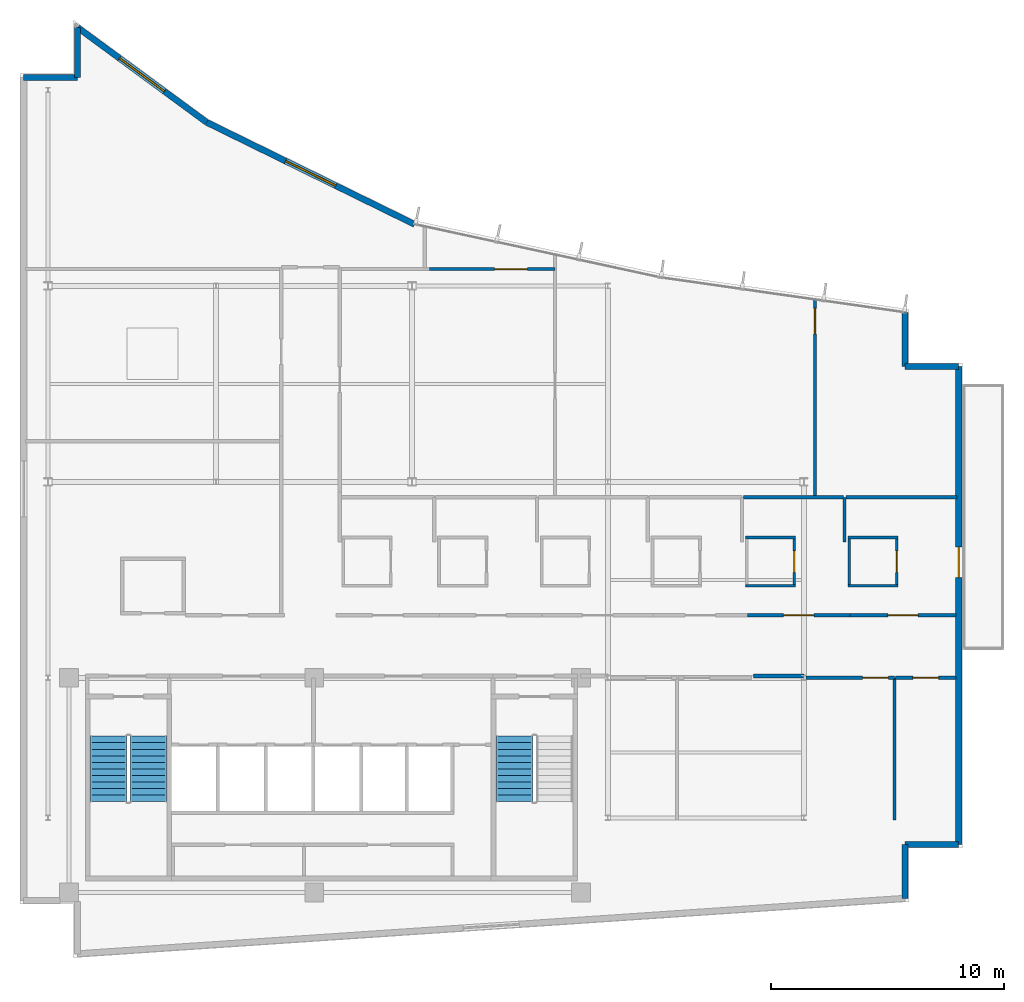
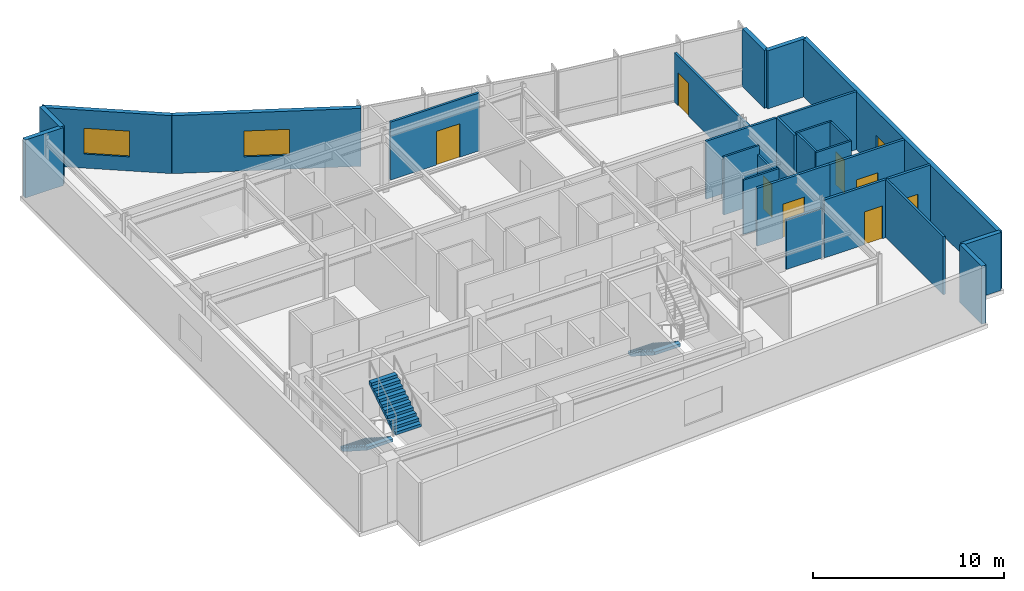
# One storey, part 12 of 16: 27 walls, 9 doors, 3 stair flights, 2 windows, 11 openings, 2 elements without a shape of their own.
"""IFC4 building model written with IfcOpenShell, lengths in metres."""

from ifc_helpers import new_model, si_unit, direction, frame, frame_2d, origin, place, context, subcontext, project, spatial, polyline, rectangle, outline, extrude, material, layer, layer_set, type_object, element, fill, aggregate, save


model = new_model("IFC4")

# Units and contexts
model_context = context("Model", 3, precision=1e-05, world=origin(), true_north=direction((0.0, 1.0)))
body_context = subcontext(model_context, "Body", "Model", "MODEL_VIEW")
ifc_project = project(units=[si_unit("LENGTHUNIT", "METRE"), si_unit("AREAUNIT", "SQUARE_METRE"), si_unit("VOLUMEUNIT", "CUBIC_METRE"), si_unit("PLANEANGLEUNIT", "RADIAN"), si_unit("MASSUNIT", "GRAM", prefix="KILO")], contexts=[model_context])

# Site, building, storey
site_placement = place(None, origin())
site = spatial("IfcSite", under=ifc_project, at=site_placement, CompositionType="ELEMENT")
building_placement = place(site_placement, origin())
building = spatial("IfcBuilding", under=site, at=building_placement, Name="Varnakote Quay Hospital", CompositionType="ELEMENT")
storey_placement = place(building_placement, frame((0.0, 0.0, 296.050048828125)))
storey = spatial("IfcBuildingStorey", under=building, at=storey_placement, Name="L73", CompositionType="ELEMENT", Elevation=296.050048828125)

# Walls
ifc_material_1 = material(Name="Fire-rated acoustic gypsum stud wall", Category="gypsum")
ifc_layer_1 = layer(ifc_material_1, 0.159912109375)
ifc_layer_set_1 = layer_set([ifc_layer_1], Name="Fire-rated acoustic gypsum stud wall")
wall_type_1 = type_object("IfcWallType", Name="WL-COMP-160", PredefinedType="PARTITIONING", material=ifc_layer_set_1)
wall_1_placement = place(storey_placement, frame((31.439208984375, 12.080078125, 0.0), z_axis=(0.0, 0.0, 1.0), x_axis=(1.0, 0.0, 0.0)))
element("IfcWall", 1, at=wall_1_placement, inside=storey, type_object=wall_type_1, Name="L73 Corridor South Gap Wall", PredefinedType="PARTITIONING", context=body_context, shape_type="SweptSolid", body=[
    extrude(rectangle(XDim=2.174072265625, YDim=0.159912109375, at=frame_2d((1.0869140625, 0.0))), origin(), (0.0, 0.0, 1.0), 3.156982421875),
])
ifc_material_2 = material(Name="Moisture-resistant bathroom partition", Category="gypsum")
ifc_layer_2 = layer(ifc_material_2, 0.114990234375)
ifc_layer_set_2 = layer_set([ifc_layer_2], Name="Moisture-resistant bathroom partition")
wall_type_2 = type_object("IfcWallType", Name="WL-ENS-115", PredefinedType="PARTITIONING", material=ifc_layer_set_2)
wall_2_placement = place(storey_placement, frame((31.094970703125, 15.952392578125, 0.0), z_axis=(0.0, 0.0, 1.0), x_axis=(1.0, 0.0, 0.0)))
element("IfcWall", 2, at=wall_2_placement, inside=storey, type_object=wall_type_2, Name="L73 Inpatient En-Suite Bathroom 05 S Wall", PredefinedType="PARTITIONING", context=body_context, shape_type="SweptSolid", body=[
    extrude(rectangle(XDim=2.150146484375, YDim=0.114990234375, at=frame_2d((1.0751953125, 0.0))), origin(), (0.0, 0.0, 1.0), 3.47802734375),
])
wall_3_placement = place(storey_placement, frame((31.094970703125, 18.017578125, 0.0), z_axis=(0.0, 0.0, 1.0), x_axis=(1.0, 0.0, 0.0)))
element("IfcWall", 3, at=wall_3_placement, inside=storey, type_object=wall_type_2, Name="L73 Inpatient En-Suite Bathroom 05 N Wall", PredefinedType="PARTITIONING", context=body_context, shape_type="SweptSolid", body=[
    extrude(rectangle(XDim=2.150146484375, YDim=0.114990234375, at=frame_2d((1.0751953125, 0.0))), origin(), (0.0, 0.0, 1.0), 3.7099609375),
])

# Wall, opening, door
wall_4_placement = place(storey_placement, frame((33.1875, 16.010009765625, 0.0), z_axis=(0.0, 0.0, 1.0), x_axis=(0.0, 1.0, 0.0)))
wall_4 = element("IfcWall", 4, at=wall_4_placement, inside=storey, type_object=wall_type_2, Name="L73 Inpatient En-Suite Bathroom 05 E Wall", PredefinedType="PARTITIONING", context=body_context, shape_type="SweptSolid", body=[
    extrude(rectangle(XDim=1.949951171875, YDim=0.114990234375, at=frame_2d((0.97509765625, 0.0))), origin(), (0.0, 0.0, 1.0), 3.156982421875),
])
opening_1_placement = place(wall_4_placement, frame((0.514892578125, 0.0, 0.0)))
opening_1 = element("IfcOpeningElement", 5, at=opening_1_placement, cuts=wall_4, Name="Opening D-L73-ENS05", PredefinedType="OPENING", context=body_context, shape_type="SweptSolid", body=[
    extrude(rectangle(XDim=0.919921875, YDim=2.10009765625, at=frame_2d((0.4599609375, 1.050048828125))), frame((0.0, 0.0673828125, 0.0), z_axis=(0.0, -1.0, 0.0), x_axis=(1.0, 0.0, 0.0)), (0.0, 0.0, 1.0), 0.135009765625),
])
ifc_material_3 = material(Name="Moisture-sealed en-suite bathroom door")
door_type_1 = type_object("IfcDoorType", Name="DR-ENS-920x2100", OperationType="NOTDEFINED", PredefinedType="DOOR", material=ifc_material_3)
door_1_placement = place(opening_1_placement, origin())
door_1 = element("IfcDoor", 6, at=door_1_placement, inside=storey, type_object=door_type_1, Name="L73 Inpatient En-Suite Bathroom 05 Door", OperationType="SINGLE_SWING_RIGHT", OverallHeight=2.10009765625, OverallWidth=0.919921875, PredefinedType="DOOR", context=body_context, shape_type="SweptSolid", body=[
    extrude(rectangle(XDim=0.919921875, YDim=2.10009765625, at=frame_2d((0.4599609375, 1.050048828125))), frame((0.0, 0.02490234375, 0.0), z_axis=(0.0, -1.0, 0.0), x_axis=(1.0, 0.0, 0.0)), (0.0, 0.0, 1.0), 0.050048828125),
])
fill(opening_1, door_1)

# Walls
for number, where, z_axis, x_axis, name in (
    (7, (35.4951171875, 15.952392578125, 0.0), (0.0, 0.0, 1.0), (1.0, 0.0, 0.0), "L73 Inpatient En-Suite Bathroom 06 S Wall"),
    (8, (35.4951171875, 18.017578125, 0.0), (0.0, 0.0, 1.0), (1.0, 0.0, 0.0), "L73 Inpatient En-Suite Bathroom 06 N Wall"),
):
    element("IfcWall", number, at=place(storey_placement, frame(where, z_axis=z_axis, x_axis=x_axis)), inside=storey, type_object=wall_type_2, Name=name, PredefinedType="PARTITIONING", context=body_context, shape_type="SweptSolid", body=[
        extrude(rectangle(XDim=2.14990234375, YDim=0.114990234375, at=frame_2d((1.074951171875, 0.0))), origin(), (0.0, 0.0, 1.0), 3.7099609375),
    ])
wall_5_placement = place(storey_placement, frame((35.552490234375, 16.010009765625, 0.0), z_axis=(0.0, 0.0, 1.0), x_axis=(0.0, 1.0, 0.0)))
element("IfcWall", 9, at=wall_5_placement, inside=storey, type_object=wall_type_2, Name="L73 Inpatient En-Suite Bathroom 06 W Wall", PredefinedType="PARTITIONING", context=body_context, shape_type="SweptSolid", body=[
    extrude(rectangle(XDim=1.949951171875, YDim=0.114990234375, at=frame_2d((0.97509765625, 0.0))), origin(), (0.0, 0.0, 1.0), 3.7099609375),
])

# Wall, opening, door
wall_6_placement = place(storey_placement, frame((37.58740234375, 16.010009765625, 0.0), z_axis=(0.0, 0.0, 1.0), x_axis=(0.0, 1.0, 0.0)))
wall_6 = element("IfcWall", 10, at=wall_6_placement, inside=storey, type_object=wall_type_2, Name="L73 Inpatient En-Suite Bathroom 06 E Wall", PredefinedType="PARTITIONING", context=body_context, shape_type="SweptSolid", body=[
    extrude(rectangle(XDim=1.949951171875, YDim=0.114990234375, at=frame_2d((0.97509765625, 0.0))), origin(), (0.0, 0.0, 1.0), 3.7099609375),
])
opening_2_placement = place(wall_6_placement, frame((0.514892578125, 0.0, 0.0)))
opening_2 = element("IfcOpeningElement", 11, at=opening_2_placement, cuts=wall_6, Name="Opening D-L73-ENS06", PredefinedType="OPENING", context=body_context, shape_type="SweptSolid", body=[
    extrude(rectangle(XDim=0.919921875, YDim=2.10009765625, at=frame_2d((0.4599609375, 1.050048828125))), frame((0.0, 0.0673828125, 0.0), z_axis=(0.0, -1.0, 0.0), x_axis=(1.0, 0.0, 0.0)), (0.0, 0.0, 1.0), 0.135009765625),
])
door_2_placement = place(opening_2_placement, origin())
door_2 = element("IfcDoor", 12, at=door_2_placement, inside=storey, type_object=door_type_1, Name="L73 Inpatient En-Suite Bathroom 06 Door", OperationType="SINGLE_SWING_LEFT", OverallHeight=2.10009765625, OverallWidth=0.919921875, PredefinedType="DOOR", context=body_context, shape_type="SweptSolid", body=[
    extrude(rectangle(XDim=0.919921875, YDim=2.10009765625, at=frame_2d((0.4599609375, 1.050048828125))), frame((0.0, 0.02490234375, 0.0), z_axis=(0.0, -1.0, 0.0), x_axis=(1.0, 0.0, 0.0)), (0.0, 0.0, 1.0), 0.050048828125),
])
fill(opening_2, door_2)

# Walls
ifc_material_4 = material(Name="Precast concrete N50 (f'c 50 MPa)", Category="concrete")
ifc_layer_3 = layer(ifc_material_4, 0.260009765625)
ifc_layer_set_3 = layer_set([ifc_layer_3], Name="Precast concrete N50 (f'c 50 MPa)")
wall_type_3 = type_object("IfcWallType", Name="WL-EXT-BRICK-260", PredefinedType="STANDARD", material=ifc_layer_set_3)
wall_7_placement = place(storey_placement, frame((37.93994140625, 2.549560546875, 0.0), z_axis=(0.0, 0.0, 1.0), x_axis=(0.0, 1.0, 0.0)))
element("IfcWall", 13, at=wall_7_placement, inside=storey, type_object=wall_type_3, Name="L73 Brick-Faced Precast Exterior Wall", PredefinedType="STANDARD", context=body_context, shape_type="SweptSolid", body=[
    extrude(rectangle(XDim=2.310546875, YDim=0.260009765625, at=frame_2d((1.1552734375, 0.0))), origin(), (0.0, 0.0, 1.0), 3.7099609375),
])
wall_8_placement = place(storey_placement, frame((37.93994140625, 4.860107421875, 0.0), z_axis=(0.0, 0.0, 1.0), x_axis=(1.0, 0.0, 0.0)))
element("IfcWall", 14, at=wall_8_placement, inside=storey, type_object=wall_type_3, Name="L73 Brick-Faced Precast Exterior Wall", PredefinedType="STANDARD", context=body_context, shape_type="SweptSolid", body=[
    extrude(rectangle(XDim=2.300048828125, YDim=0.260009765625, at=frame_2d((1.14990234375, 0.0))), origin(), (0.0, 0.0, 1.0), 3.7099609375),
])

# Wall, opening, door
wall_9_placement = place(storey_placement, frame((40.239990234375, 4.860107421875, 0.0), z_axis=(0.0, 0.0, 1.0), x_axis=(0.0, 1.0, 0.0)))
wall_9 = element("IfcWall", 15, at=wall_9_placement, inside=storey, type_object=wall_type_3, Name="L73 Healing Terrace Portal Brick Wall", PredefinedType="STANDARD", context=body_context, shape_type="SweptSolid", body=[
    extrude(rectangle(XDim=20.47998046875, YDim=0.260009765625, at=frame_2d((10.239990234375, 0.0))), origin(), (0.0, 0.0, 1.0), 3.7099609375),
])
opening_3_placement = place(wall_9_placement, frame((11.43994140625, 0.0, 0.0)))
opening_3 = element("IfcOpeningElement", 16, at=opening_3_placement, cuts=wall_9, Name="Opening DT-L73", PredefinedType="OPENING", context=body_context, shape_type="SweptSolid", body=[
    extrude(rectangle(XDim=1.300048828125, YDim=2.14990234375, at=frame_2d((0.64990234375, 1.074951171875))), frame((0.0, 0.139892578125, 0.0), z_axis=(0.0, -1.0, 0.0), x_axis=(1.0, 0.0, 0.0)), (0.0, 0.0, 1.0), 0.280029296875),
])
ifc_material_5 = material(Name="Anodised aluminium glazed terrace door", Category="aluminium")
door_type_2 = type_object("IfcDoorType", Name="DR-EXT-TERR-1300x2150", OperationType="NOTDEFINED", PredefinedType="DOOR", material=ifc_material_5)
door_3_placement = place(opening_3_placement, origin())
door_3 = element("IfcDoor", 17, at=door_3_placement, inside=storey, type_object=door_type_2, Name="L73 Waterfront Healing Terrace Door", OperationType="SINGLE_SWING_RIGHT", OverallHeight=2.14990234375, OverallWidth=1.300048828125, PredefinedType="DOOR", context=body_context, shape_type="SweptSolid", body=[
    extrude(rectangle(XDim=1.300048828125, YDim=2.14990234375, at=frame_2d((0.64990234375, 1.074951171875))), frame((0.0, 0.02490234375, 0.0), z_axis=(0.0, -1.0, 0.0), x_axis=(1.0, 0.0, 0.0)), (0.0, 0.0, 1.0), 0.050048828125),
])
fill(opening_3, door_3)

# Walls
wall_10_placement = place(storey_placement, frame((40.239990234375, 25.340087890625, 0.0), z_axis=(0.0, 0.0, 1.0), x_axis=(-1.0, 0.0, 0.0)))
element("IfcWall", 18, at=wall_10_placement, inside=storey, type_object=wall_type_3, Name="L73 Brick-Faced Precast Exterior Wall", PredefinedType="STANDARD", context=body_context, shape_type="SweptSolid", body=[
    extrude(rectangle(XDim=2.300048828125, YDim=0.260009765625, at=frame_2d((1.14990234375, 0.0))), origin(), (0.0, 0.0, 1.0), 3.7099609375),
])
wall_11_placement = place(storey_placement, frame((37.93994140625, 25.340087890625, 0.0), z_axis=(0.0, 0.0, 1.0), x_axis=(0.0, 1.0, 0.0)))
element("IfcWall", 19, at=wall_11_placement, inside=storey, type_object=wall_type_3, Name="L73 Brick-Faced Precast Exterior Wall", PredefinedType="STANDARD", context=body_context, shape_type="SweptSolid", body=[
    extrude(rectangle(XDim=2.3212890625, YDim=0.260009765625, at=frame_2d((1.16064453125, 0.0))), origin(), (0.0, 0.0, 1.0), 3.7099609375),
])

# Wall, opening, window
wall_12_placement = place(storey_placement, frame((16.9150390625, 31.439697265625, 0.0), z_axis=(0.0, 0.0, 1.0), x_axis=(-0.897793077248, 0.440417518322, 0.0)))
wall_12 = element("IfcWall", 20, at=wall_12_placement, inside=storey, type_object=wall_type_3, Name="L73 Brick-Faced Precast Exterior Wall", PredefinedType="STANDARD", context=body_context, shape_type="SweptSolid", body=[
    extrude(rectangle(XDim=9.933837890625, YDim=0.260009765625, at=frame_2d((4.966796875, 0.0))), origin(), (0.0, 0.0, 1.0), 3.7099609375),
])
opening_4_placement = place(wall_12_placement, frame((3.766845703125, 0.0, 0.89990234375)))
opening_4 = element("IfcOpeningElement", 21, at=opening_4_placement, cuts=wall_12, Name="Opening WN-0295", PredefinedType="OPENING", context=body_context, shape_type="SweptSolid", body=[
    extrude(rectangle(XDim=2.39990234375, YDim=1.64990234375, at=frame_2d((1.199951171875, 0.824951171875))), frame((0.0, 0.139892578125, 0.0), z_axis=(0.0, -1.0, 0.0), x_axis=(1.0, 0.0, 0.0)), (0.0, 0.0, 1.0), 0.280029296875),
])
ifc_material_6 = material(Name="Double-glazed low-E solar glass", Category="glass")
window_type = type_object("IfcWindowType", Name="WIN-CLIN-2400x1650", PartitioningType="SINGLE_PANEL", PredefinedType="WINDOW", material=ifc_material_6)
window_1_placement = place(opening_4_placement, origin())
window_1 = element("IfcWindow", 22, at=window_1_placement, inside=storey, type_object=window_type, Name="L73 Solar-Control Clinical Window", OverallHeight=1.64990234375, OverallWidth=2.39990234375, PartitioningType="SINGLE_PANEL", PredefinedType="WINDOW", context=body_context, shape_type="SweptSolid", body=[
    extrude(rectangle(XDim=2.39990234375, YDim=1.64990234375, at=frame_2d((1.199951171875, 0.824951171875))), frame((0.0, 0.030029296875, 0.0), z_axis=(0.0, -1.0, 0.0), x_axis=(1.0, 0.0, 0.0)), (0.0, 0.0, 1.0), 0.06005859375),
])
fill(opening_4, window_1)

wall_13_placement = place(storey_placement, frame((7.99658203125, 35.814697265625, 0.0), z_axis=(0.0, 0.0, 1.0), x_axis=(-0.805786654178, 0.592205933733, 0.0)))
wall_13 = element("IfcWall", 23, at=wall_13_placement, inside=storey, type_object=wall_type_3, Name="L73 Brick-Faced Precast Exterior Wall", PredefinedType="STANDARD", context=body_context, shape_type="SweptSolid", body=[
    extrude(rectangle(XDim=6.87109375, YDim=0.260009765625, at=frame_2d((3.435546875, 0.0))), origin(), (0.0, 0.0, 1.0), 3.7099609375),
])
opening_5_placement = place(wall_13_placement, frame((2.235595703125, 0.0, 0.89990234375)))
opening_5 = element("IfcOpeningElement", 24, at=opening_5_placement, cuts=wall_13, Name="Opening WN-0296", PredefinedType="OPENING", context=body_context, shape_type="SweptSolid", body=[
    extrude(rectangle(XDim=2.39990234375, YDim=1.64990234375, at=frame_2d((1.199951171875, 0.824951171875))), frame((0.0, 0.139892578125, 0.0), z_axis=(0.0, -1.0, 0.0), x_axis=(1.0, 0.0, 0.0)), (0.0, 0.0, 1.0), 0.280029296875),
])
window_2_placement = place(opening_5_placement, origin())
window_2 = element("IfcWindow", 25, at=window_2_placement, inside=storey, type_object=window_type, Name="L73 Solar-Control Clinical Window", OverallHeight=1.64990234375, OverallWidth=2.39990234375, PartitioningType="SINGLE_PANEL", PredefinedType="WINDOW", context=body_context, shape_type="SweptSolid", body=[
    extrude(rectangle(XDim=2.39990234375, YDim=1.64990234375, at=frame_2d((1.199951171875, 0.824951171875))), frame((0.0, 0.030029296875, 0.0), z_axis=(0.0, -1.0, 0.0), x_axis=(1.0, 0.0, 0.0)), (0.0, 0.0, 1.0), 0.06005859375),
])
fill(opening_5, window_2)

# Walls
wall_14_placement = place(storey_placement, frame((2.4599609375, 39.8837890625, 0.0), z_axis=(0.0, 0.0, 1.0), x_axis=(0.0, -1.0, 0.0)))
element("IfcWall", 26, at=wall_14_placement, inside=storey, type_object=wall_type_3, Name="L73 Brick-Faced Precast Exterior Wall", PredefinedType="STANDARD", context=body_context, shape_type="SweptSolid", body=[
    extrude(rectangle(XDim=2.143798828125, YDim=0.260009765625, at=frame_2d((1.07177734375, 0.0))), origin(), (0.0, 0.0, 1.0), 3.7099609375),
])
wall_15_placement = place(storey_placement, frame((2.4599609375, 37.739990234375, 0.0), z_axis=(0.0, 0.0, 1.0), x_axis=(-1.0, 0.0, 0.0)))
element("IfcWall", 27, at=wall_15_placement, inside=storey, type_object=wall_type_3, Name="L73 Brick-Faced Precast Exterior Wall", PredefinedType="STANDARD", context=body_context, shape_type="SweptSolid", body=[
    extrude(rectangle(XDim=2.300048828125, YDim=0.260009765625, at=frame_2d((1.14990234375, 0.0))), origin(), (0.0, 0.0, 1.0), 3.7099609375),
])
ifc_material_7 = material(Name="Smoke-proof clinical partition", Category="gypsum")
ifc_layer_4 = layer(ifc_material_7, 0.135009765625)
ifc_layer_set_4 = layer_set([ifc_layer_4], Name="Smoke-proof clinical partition")
wall_type_4 = type_object("IfcWallType", Name="WL-SMOKE-135", PredefinedType="PARTITIONING", material=ifc_layer_set_4)
wall_16_placement = place(storey_placement, frame((37.47998046875, 5.89990234375, 0.0), z_axis=(0.0, 0.0, 1.0), x_axis=(0.0, 1.0, 0.0)))
element("IfcWall", 28, at=wall_16_placement, inside=storey, type_object=wall_type_4, Name="L73 Clinical Interior Partition", PredefinedType="PARTITIONING", context=body_context, shape_type="SweptSolid", body=[
    extrude(rectangle(XDim=6.10009765625, YDim=0.135009765625, at=frame_2d((3.050048828125, 0.0))), origin(), (0.0, 0.0, 1.0), 3.7099609375),
])
wall_17_placement = place(storey_placement, frame((35.35009765625, 17.83251953125, 0.0), z_axis=(0.0, 0.0, 1.0), x_axis=(0.0, 1.0, 0.0)))
element("IfcWall", 29, at=wall_17_placement, inside=storey, type_object=wall_type_4, Name="L73 Clinical Interior Partition", PredefinedType="PARTITIONING", context=body_context, shape_type="SweptSolid", body=[
    extrude(rectangle(XDim=1.907470703125, YDim=0.135009765625, at=frame_2d((0.95361328125, 0.0))), origin(), (0.0, 0.0, 1.0), 3.7099609375),
])
wall_18_placement = place(storey_placement, frame((35.29248046875, 19.739990234375, 0.0), z_axis=(0.0, 0.0, 1.0), x_axis=(-1.0, 0.0, 0.0)))
element("IfcWall", 30, at=wall_18_placement, inside=storey, type_object=wall_type_4, Name="L73 Clinical Interior Partition", PredefinedType="PARTITIONING", context=body_context, shape_type="SweptSolid", body=[
    extrude(rectangle(XDim=4.284912109375, YDim=0.135009765625, at=frame_2d((2.142578125, 0.0))), origin(), (0.0, 0.0, 1.0), 3.7099609375),
])
wall_19_placement = place(storey_placement, frame((40.159912109375, 19.739990234375, 0.0), z_axis=(0.0, 0.0, 1.0), x_axis=(-1.0, 0.0, 0.0)))
element("IfcWall", 31, at=wall_19_placement, inside=storey, type_object=wall_type_4, Name="L73 Clinical Interior Partition", PredefinedType="PARTITIONING", context=body_context, shape_type="SweptSolid", body=[
    extrude(rectangle(XDim=4.75244140625, YDim=0.135009765625, at=frame_2d((2.376220703125, 0.0))), origin(), (0.0, 0.0, 1.0), 3.7099609375),
])

# Wall, opening, door
wall_20_placement = place(storey_placement, frame((22.929931640625, 29.52001953125, 0.0), z_axis=(0.0, 0.0, 1.0), x_axis=(-1.0, 0.0, 0.0)))
wall_20 = element("IfcWall", 32, at=wall_20_placement, inside=storey, type_object=wall_type_4, Name="L73 Clinical Interior Partition", PredefinedType="PARTITIONING", context=body_context, shape_type="SweptSolid", body=[
    extrude(rectangle(XDim=5.38330078125, YDim=0.135009765625, at=frame_2d((2.691650390625, 0.0))), origin(), (0.0, 0.0, 1.0), 3.7099609375),
])
opening_6_placement = place(wall_20_placement, frame((1.185302734375, 0.0, 0.0)))
opening_6 = element("IfcOpeningElement", 33, at=opening_6_placement, cuts=wall_20, Name="Opening D-L73-UST01", PredefinedType="OPENING", context=body_context, shape_type="SweptSolid", body=[
    extrude(rectangle(XDim=1.39990234375, YDim=2.14990234375, at=frame_2d((0.699951171875, 1.074951171875))), frame((0.0, 0.077392578125, 0.0), z_axis=(0.0, -1.0, 0.0), x_axis=(1.0, 0.0, 0.0)), (0.0, 0.0, 1.0), 0.155029296875),
])
ifc_material_8 = material(Name="Fire-rated acoustic plant room door")
door_type_3 = type_object("IfcDoorType", Name="DR-PLANT-FD60-1400x2150", OperationType="NOTDEFINED", PredefinedType="DOOR", material=ifc_material_8)
door_4_placement = place(opening_6_placement, origin())
door_4 = element("IfcDoor", 34, at=door_4_placement, inside=storey, type_object=door_type_3, Name="L73 Ward Clean Equipment Store 01 Door", OperationType="SINGLE_SWING_LEFT", OverallHeight=2.14990234375, OverallWidth=1.39990234375, PredefinedType="DOOR", context=body_context, shape_type="SweptSolid", body=[
    extrude(rectangle(XDim=1.39990234375, YDim=2.14990234375, at=frame_2d((0.699951171875, 1.074951171875))), frame((0.0, 0.02490234375, 0.0), z_axis=(0.0, -1.0, 0.0), x_axis=(1.0, 0.0, 0.0)), (0.0, 0.0, 1.0), 0.050048828125),
])
fill(opening_6, door_4)

wall_21_placement = place(storey_placement, frame((34.080078125, 19.797607421875, 0.0), z_axis=(0.0, 0.0, 1.0), x_axis=(0.0, 1.0, 0.0)))
wall_21 = element("IfcWall", 35, at=wall_21_placement, inside=storey, type_object=wall_type_4, Name="L73 Clinical Interior Partition", PredefinedType="PARTITIONING", context=body_context, shape_type="SweptSolid", body=[
    extrude(rectangle(XDim=8.415771484375, YDim=0.135009765625, at=frame_2d((4.2080078125, 0.0))), origin(), (0.0, 0.0, 1.0), 3.156982421875),
])
opening_7_placement = place(wall_21_placement, frame((6.94287109375, 0.0, 0.0)))
opening_7 = element("IfcOpeningElement", 36, at=opening_7_placement, cuts=wall_21, Name="Opening D-L73-DLNG", PredefinedType="OPENING", context=body_context, shape_type="SweptSolid", body=[
    extrude(rectangle(XDim=1.10009765625, YDim=2.10009765625, at=frame_2d((0.550048828125, 1.050048828125))), frame((0.0, 0.077392578125, 0.0), z_axis=(0.0, -1.0, 0.0), x_axis=(1.0, 0.0, 0.0)), (0.0, 0.0, 1.0), 0.155029296875),
])
ifc_material_9 = material(Name="Acoustic timber clinical consult door", Category="wood")
door_type_4 = type_object("IfcDoorType", Name="DR-CLIN-FD30S-1100x2100", OperationType="NOTDEFINED", PredefinedType="DOOR", material=ifc_material_9)
door_5_placement = place(opening_7_placement, origin())
door_5 = element("IfcDoor", 37, at=door_5_placement, inside=storey, type_object=door_type_4, Name="L73 Waterfront Patient & Family Dayroom Door", OperationType="SINGLE_SWING_RIGHT", OverallHeight=2.10009765625, OverallWidth=1.10009765625, PredefinedType="DOOR", context=body_context, shape_type="SweptSolid", body=[
    extrude(rectangle(XDim=1.10009765625, YDim=2.10009765625, at=frame_2d((0.550048828125, 1.050048828125))), frame((0.0, 0.02490234375, 0.0), z_axis=(0.0, -1.0, 0.0), x_axis=(1.0, 0.0, 0.0)), (0.0, 0.0, 1.0), 0.050048828125),
])
fill(opening_7, door_5)

ifc_material_10 = material(Name="Fire-rated clinical gypsum partition", Category="gypsum")
ifc_layer_5 = layer(ifc_material_10, 0.14990234375)
ifc_layer_set_5 = layer_set([ifc_layer_5], Name="Fire-rated clinical gypsum partition")
wall_type_5 = type_object("IfcWallType", Name="WL-WARD-150", PredefinedType="PARTITIONING", material=ifc_layer_set_5)
wall_22_placement = place(storey_placement, frame((37.47998046875, 12.0, 0.0), z_axis=(0.0, 0.0, 1.0), x_axis=(-1.0, 0.0, 0.0)))
wall_22 = element("IfcWall", 38, at=wall_22_placement, inside=storey, type_object=wall_type_5, Name="L73 Clinical Interior Partition", PredefinedType="PARTITIONING", context=body_context, shape_type="SweptSolid", body=[
    extrude(rectangle(XDim=3.777587890625, YDim=0.14990234375, at=frame_2d((1.888671875, 0.0))), origin(), (0.0, 0.0, 1.0), 3.7099609375),
])
opening_8_placement = place(wall_22_placement, frame((0.2568359375, 0.0, 0.0)))
opening_8 = element("IfcOpeningElement", 39, at=opening_8_placement, cuts=wall_22, Name="Opening D-L73-RM1", PredefinedType="OPENING", context=body_context, shape_type="SweptSolid", body=[
    extrude(rectangle(XDim=1.10009765625, YDim=2.10009765625, at=frame_2d((0.550048828125, 1.050048828125))), frame((0.0, 0.0849609375, 0.0), z_axis=(0.0, -1.0, 0.0), x_axis=(1.0, 0.0, 0.0)), (0.0, 0.0, 1.0), 0.169921875),
])
door_6_placement = place(opening_8_placement, origin())
door_6 = element("IfcDoor", 40, at=door_6_placement, inside=storey, type_object=door_type_4, Name="L73 Cardiac Telemetry Treatment Suite Door", OperationType="SINGLE_SWING_RIGHT", OverallHeight=2.10009765625, OverallWidth=1.10009765625, PredefinedType="DOOR", context=body_context, shape_type="SweptSolid", body=[
    extrude(rectangle(XDim=1.10009765625, YDim=2.10009765625, at=frame_2d((0.550048828125, 1.050048828125))), frame((0.0, 0.02490234375, 0.0), z_axis=(0.0, -1.0, 0.0), x_axis=(1.0, 0.0, 0.0)), (0.0, 0.0, 1.0), 0.050048828125),
])
fill(opening_8, door_6)

wall_23_placement = place(storey_placement, frame((40.1201171875, 12.0, 0.0), z_axis=(0.0, 0.0, 1.0), x_axis=(-1.0, 0.0, 0.0)))
wall_23 = element("IfcWall", 41, at=wall_23_placement, inside=storey, type_object=wall_type_5, Name="L73 Clinical Interior Partition", PredefinedType="PARTITIONING", context=body_context, shape_type="SweptSolid", body=[
    extrude(rectangle(XDim=2.58251953125, YDim=0.14990234375, at=frame_2d((1.291259765625, 0.0))), origin(), (0.0, 0.0, 1.0), 3.7099609375),
])
opening_9_placement = place(wall_23_placement, frame((0.7412109375, 0.0, 0.0)))
opening_9 = element("IfcOpeningElement", 42, at=opening_9_placement, cuts=wall_23, Name="Opening D-L73-RM2", PredefinedType="OPENING", context=body_context, shape_type="SweptSolid", body=[
    extrude(rectangle(XDim=1.10009765625, YDim=2.10009765625, at=frame_2d((0.550048828125, 1.050048828125))), frame((0.0, 0.0849609375, 0.0), z_axis=(0.0, -1.0, 0.0), x_axis=(1.0, 0.0, 0.0)), (0.0, 0.0, 1.0), 0.169921875),
])
door_7_placement = place(opening_9_placement, origin())
door_7 = element("IfcDoor", 43, at=door_7_placement, inside=storey, type_object=door_type_4, Name="L73 Vascular Diagnostics Office Door", OperationType="SINGLE_SWING_LEFT", OverallHeight=2.10009765625, OverallWidth=1.10009765625, PredefinedType="DOOR", context=body_context, shape_type="SweptSolid", body=[
    extrude(rectangle(XDim=1.10009765625, YDim=2.10009765625, at=frame_2d((0.550048828125, 1.050048828125))), frame((0.0, 0.02490234375, 0.0), z_axis=(0.0, -1.0, 0.0), x_axis=(1.0, 0.0, 0.0)), (0.0, 0.0, 1.0), 0.050048828125),
])
fill(opening_9, door_7)

wall_24_placement = place(storey_placement, frame((35.575927734375, 14.679931640625, 0.0), z_axis=(0.0, 0.0, 1.0), x_axis=(-1.0, 0.0, 0.0)))
wall_24 = element("IfcWall", 44, at=wall_24_placement, inside=storey, type_object=wall_type_5, Name="L73 Clinical Interior Partition", PredefinedType="PARTITIONING", context=body_context, shape_type="SweptSolid", body=[
    extrude(rectangle(XDim=4.39794921875, YDim=0.14990234375, at=frame_2d((2.198974609375, 0.0))), origin(), (0.0, 0.0, 1.0), 3.7099609375),
])
opening_10_placement = place(wall_24_placement, frame((1.549072265625, 0.0, 0.0)))
opening_10 = element("IfcOpeningElement", 45, at=opening_10_placement, cuts=wall_24, Name="Opening D-L73-BR05", PredefinedType="OPENING", context=body_context, shape_type="SweptSolid", body=[
    extrude(rectangle(XDim=1.300048828125, YDim=2.14990234375, at=frame_2d((0.64990234375, 1.074951171875))), frame((0.0, 0.0849609375, 0.0), z_axis=(0.0, -1.0, 0.0), x_axis=(1.0, 0.0, 0.0)), (0.0, 0.0, 1.0), 0.169921875),
])
ifc_material_11 = material(Name="Solid-core timber clinical bed door", Category="wood")
door_type_5 = type_object("IfcDoorType", Name="DR-WARD-FD30S-1300x2150", OperationType="NOTDEFINED", PredefinedType="DOOR", material=ifc_material_11)
door_8_placement = place(opening_10_placement, origin())
door_8 = element("IfcDoor", 46, at=door_8_placement, inside=storey, type_object=door_type_5, Name="L73 Resident Care Bedroom 05 Door", OperationType="SINGLE_SWING_LEFT", OverallHeight=2.14990234375, OverallWidth=1.300048828125, PredefinedType="DOOR", context=body_context, shape_type="SweptSolid", body=[
    extrude(rectangle(XDim=1.300048828125, YDim=2.14990234375, at=frame_2d((0.64990234375, 1.074951171875))), frame((0.0, 0.02490234375, 0.0), z_axis=(0.0, -1.0, 0.0), x_axis=(1.0, 0.0, 0.0)), (0.0, 0.0, 1.0), 0.050048828125),
])
fill(opening_10, door_8)

wall_25_placement = place(storey_placement, frame((40.1201171875, 14.679931640625, 0.0), z_axis=(0.0, 0.0, 1.0), x_axis=(-1.0, 0.0, 0.0)))
wall_25 = element("IfcWall", 47, at=wall_25_placement, inside=storey, type_object=wall_type_5, Name="L73 Clinical Interior Partition", PredefinedType="PARTITIONING", context=body_context, shape_type="SweptSolid", body=[
    extrude(rectangle(XDim=4.542236328125, YDim=0.14990234375, at=frame_2d((2.27099609375, 0.0))), origin(), (0.0, 0.0, 1.0), 3.7099609375),
])
opening_11_placement = place(wall_25_placement, frame((1.62109375, 0.0, 0.0)))
opening_11 = element("IfcOpeningElement", 48, at=opening_11_placement, cuts=wall_25, Name="Opening D-L73-BR06", PredefinedType="OPENING", context=body_context, shape_type="SweptSolid", body=[
    extrude(rectangle(XDim=1.300048828125, YDim=2.14990234375, at=frame_2d((0.64990234375, 1.074951171875))), frame((0.0, 0.0849609375, 0.0), z_axis=(0.0, -1.0, 0.0), x_axis=(1.0, 0.0, 0.0)), (0.0, 0.0, 1.0), 0.169921875),
])
door_9_placement = place(opening_11_placement, origin())
door_9 = element("IfcDoor", 49, at=door_9_placement, inside=storey, type_object=door_type_5, Name="L73 Resident Care Bedroom 06 Door", OperationType="SINGLE_SWING_RIGHT", OverallHeight=2.14990234375, OverallWidth=1.300048828125, PredefinedType="DOOR", context=body_context, shape_type="SweptSolid", body=[
    extrude(rectangle(XDim=1.300048828125, YDim=2.14990234375, at=frame_2d((0.64990234375, 1.074951171875))), frame((0.0, 0.02490234375, 0.0), z_axis=(0.0, -1.0, 0.0), x_axis=(1.0, 0.0, 0.0)), (0.0, 0.0, 1.0), 0.050048828125),
])
fill(opening_11, door_9)

# Stair, stair flights
ifc_material_12 = material(Name="Concrete N40 (f'c 40 MPa)", Category="concrete")
stair_type = type_object("IfcStairType", Name="STR-CORE-1580", PredefinedType="HALF_TURN_STAIR", material=ifc_material_12)
stair_1_placement = place(storey_placement, origin())
stair_1 = element("IfcStair", 50, at=stair_1_placement, inside=storey, type_object=stair_type, Name="L73 Fire-Isolated Exit Stair ST-01", PredefinedType="HALF_TURN_STAIR")
ifc_material_13 = material(Name="Concrete N40 (f'c 40 MPa)", Category="concrete")
ifc_layer_6 = layer(ifc_material_13, 0.159912109375)
ifc_layer_set_6 = layer_set([ifc_layer_6], Name="Concrete N40 (f'c 40 MPa)")
stair_flight_type = type_object("IfcStairFlightType", Name="FLT-CORE-1580", PredefinedType="STRAIGHT", material=ifc_layer_set_6)
stair_flight_1_placement = place(storey_placement, frame((3.7900390625, 9.5, 0.0), z_axis=(0.0, 0.0, 1.0), x_axis=(0.0, -1.0, 0.0)))
stair_flight_1 = element("IfcStairFlight", 51, at=stair_flight_1_placement, type_object=stair_flight_type, Name="ST-01 flight 1", NumberOfRisers=11, NumberOfTreads=10, PredefinedType="STRAIGHT", RiserHeight=0.179545455, TreadLength=0.28, context=body_context, shape_type="SweptSolid", body=[
    extrude(outline(polyline([(0.0, 0.0), (0.0, 0.179443359375), (0.280029296875, 0.179443359375), (0.280029296875, 0.359130859375), (0.56005859375, 0.359130859375), (0.56005859375, 0.53857421875), (0.840087890625, 0.53857421875), (0.840087890625, 0.71826171875), (1.1201171875, 0.71826171875), (1.1201171875, 0.897705078125), (1.39990234375, 0.897705078125), (1.39990234375, 1.077392578125), (1.679931640625, 1.077392578125), (1.679931640625, 1.2568359375), (1.9599609375, 1.2568359375), (1.9599609375, 1.436279296875), (2.239990234375, 1.436279296875), (2.239990234375, 1.615966796875), (2.52001953125, 1.615966796875), (2.52001953125, 1.79541015625), (2.800048828125, 1.79541015625), (2.800048828125, 1.97509765625), (2.800048828125, 1.60546875), (0.296142578125, 0.0), (0.0, 0.0)])), frame((0.0, 0.7900390625, 0.0), z_axis=(0.0, -1.0, 0.0), x_axis=(1.0, 0.0, 0.0)), (0.0, 0.0, 1.0), 1.580078125),
])
stair_flight_2_placement = place(storey_placement, frame((5.510009765625, 6.699951171875, 1.974853515625), z_axis=(0.0, 0.0, 1.0), x_axis=(0.0, 1.0, 0.0)))
stair_flight_2 = element("IfcStairFlight", 52, at=stair_flight_2_placement, type_object=stair_flight_type, Name="ST-01 flight 2", NumberOfRisers=11, NumberOfTreads=10, PredefinedType="STRAIGHT", RiserHeight=0.179545455, TreadLength=0.28, context=body_context, shape_type="SweptSolid", body=[
    extrude(outline(polyline([(0.0, 0.0), (0.0, 0.179443359375), (0.280029296875, 0.179443359375), (0.280029296875, 0.359130859375), (0.56005859375, 0.359130859375), (0.56005859375, 0.53857421875), (0.840087890625, 0.53857421875), (0.840087890625, 0.71826171875), (1.1201171875, 0.71826171875), (1.1201171875, 0.897705078125), (1.39990234375, 0.897705078125), (1.39990234375, 1.077392578125), (1.679931640625, 1.077392578125), (1.679931640625, 1.2568359375), (1.9599609375, 1.2568359375), (1.9599609375, 1.436279296875), (2.239990234375, 1.436279296875), (2.239990234375, 1.615966796875), (2.52001953125, 1.615966796875), (2.52001953125, 1.79541015625), (2.800048828125, 1.79541015625), (2.800048828125, 1.97509765625), (2.800048828125, 1.60546875), (0.296142578125, 0.0), (0.0, 0.0)])), frame((0.0, 0.7900390625, 0.0), z_axis=(0.0, -1.0, 0.0), x_axis=(1.0, 0.0, 0.0)), (0.0, 0.0, 1.0), 1.580078125),
])
aggregate(stair_1, [stair_flight_1, stair_flight_2])

# Stair, stair flight
stair_2_placement = place(storey_placement, origin())
stair_2 = element("IfcStair", 53, at=stair_2_placement, inside=storey, type_object=stair_type, Name="L73 Fire-Isolated Exit Stair ST-02", PredefinedType="HALF_TURN_STAIR")
stair_flight_3_placement = place(storey_placement, frame((21.18994140625, 9.5, 0.0), z_axis=(0.0, 0.0, 1.0), x_axis=(0.0, -1.0, 0.0)))
stair_flight_3 = element("IfcStairFlight", 54, at=stair_flight_3_placement, type_object=stair_flight_type, Name="ST-02 flight 1", NumberOfRisers=11, NumberOfTreads=10, PredefinedType="STRAIGHT", RiserHeight=0.179545455, TreadLength=0.28, context=body_context, shape_type="SweptSolid", body=[
    extrude(outline(polyline([(0.0, 0.0), (0.0, 0.179443359375), (0.280029296875, 0.179443359375), (0.280029296875, 0.359130859375), (0.56005859375, 0.359130859375), (0.56005859375, 0.53857421875), (0.840087890625, 0.53857421875), (0.840087890625, 0.71826171875), (1.1201171875, 0.71826171875), (1.1201171875, 0.897705078125), (1.39990234375, 0.897705078125), (1.39990234375, 1.077392578125), (1.679931640625, 1.077392578125), (1.679931640625, 1.2568359375), (1.9599609375, 1.2568359375), (1.9599609375, 1.436279296875), (2.239990234375, 1.436279296875), (2.239990234375, 1.615966796875), (2.52001953125, 1.615966796875), (2.52001953125, 1.79541015625), (2.800048828125, 1.79541015625), (2.800048828125, 1.97509765625), (2.800048828125, 1.60546875), (0.296142578125, 0.0), (0.0, 0.0)])), frame((0.0, 0.7900390625, 0.0), z_axis=(0.0, -1.0, 0.0), x_axis=(1.0, 0.0, 0.0)), (0.0, 0.0, 1.0), 1.580078125),
])
aggregate(stair_2, [stair_flight_3])

save(model, "model.ifc")
